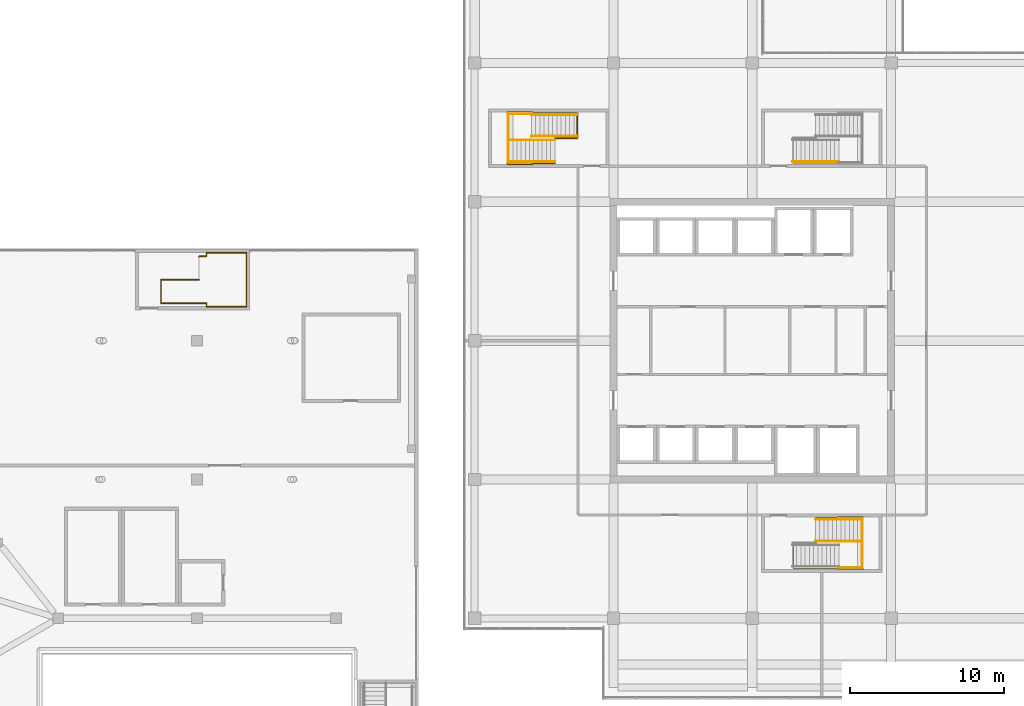
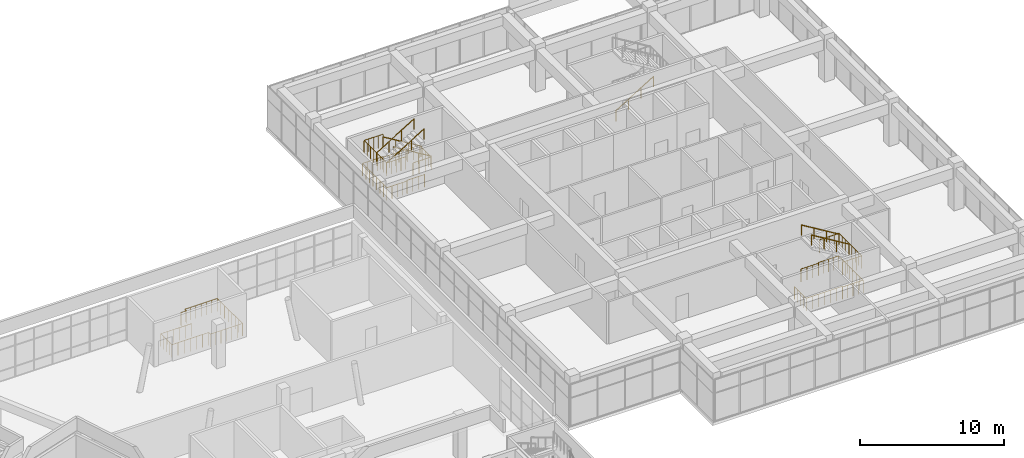
# One storey, part 71 of 72: 18 railings.
"""IFC4 building model written with IfcOpenShell, lengths in metres."""

from ifc_helpers import new_model, si_unit, direction, frame, origin, origin_2d, place, context, subcontext, project, spatial, circle, extrude, material, type_object, element, save


model = new_model("IFC4")

# Units and contexts
model_context = context("Model", 3, precision=1e-05, world=origin(), true_north=direction((0.0, 1.0)))
body_context = subcontext(model_context, "Body", "Model", "MODEL_VIEW")
ifc_project = project(units=[si_unit("LENGTHUNIT", "METRE"), si_unit("AREAUNIT", "SQUARE_METRE"), si_unit("VOLUMEUNIT", "CUBIC_METRE"), si_unit("PLANEANGLEUNIT", "RADIAN"), si_unit("MASSUNIT", "GRAM", prefix="KILO")], contexts=[model_context])

# Site, building, storey
site_placement = place(None, origin())
site = spatial("IfcSite", under=ifc_project, at=site_placement, CompositionType="ELEMENT")
building_placement = place(site_placement, origin())
building = spatial("IfcBuilding", under=site, at=building_placement, Name="Tuart Plaza Theatre", CompositionType="ELEMENT")
storey_placement = place(building_placement, frame((0.0, 0.0, 13.5)))
storey = spatial("IfcBuildingStorey", under=building, at=storey_placement, Name="L03", CompositionType="ELEMENT", Elevation=13.5)

# Railings
ifc_material_1 = material(Name="Steel Grade C350L0", Category="steel")
railing_type_1 = type_object("IfcRailingType", Name="RAILING Guard 1100", PredefinedType="GUARDRAIL", material=ifc_material_1)
railing_1_placement = place(storey_placement, frame((93.659912109375, 76.425048828125, 0.0)))
element("IfcRailing", 1, at=railing_1_placement, inside=storey, type_object=railing_type_1, Name="GR139", PredefinedType="GUARDRAIL", context=body_context, shape_type="SweptSolid", body=[
    extrude(circle(Radius=0.02490234375, at=origin_2d()), frame((0.0, 0.0, 1.0751953125), z_axis=(0.0, 1.0, 0.0), x_axis=(-1.0, 0.0, 0.0)), (0.0, 0.0, 1.0), 1.52490234375),
    extrude(circle(Radius=0.02490234375, at=origin_2d()), frame((0.0, 1.52490234375, 1.0751953125), z_axis=(1.0, 0.0, 0.0), x_axis=(0.0, 1.0, 0.0)), (0.0, 0.0, 1.0), 2.47509765625),
    extrude(circle(Radius=0.02001953125, at=origin_2d()), origin(), (0.0, 0.0, 1.0), 1.050048828125),
    extrude(circle(Radius=0.02001953125, at=origin_2d()), frame((0.0, 0.38134765625, 0.0)), (0.0, 0.0, 1.0), 1.050048828125),
    extrude(circle(Radius=0.02001953125, at=origin_2d()), frame((0.0, 0.762451171875, 0.0)), (0.0, 0.0, 1.0), 1.050048828125),
    extrude(circle(Radius=0.02001953125, at=origin_2d()), frame((0.0, 1.1435546875, 0.0)), (0.0, 0.0, 1.0), 1.050048828125),
    extrude(circle(Radius=0.02001953125, at=origin_2d()), frame((0.0, 1.52490234375, 0.0)), (0.0, 0.0, 1.0), 1.050048828125),
    extrude(circle(Radius=0.02001953125, at=origin_2d()), frame((0.4951171875, 1.52490234375, 0.0)), (0.0, 0.0, 1.0), 1.050048828125),
    extrude(circle(Radius=0.02001953125, at=origin_2d()), frame((0.989990234375, 1.52490234375, 0.0)), (0.0, 0.0, 1.0), 1.050048828125),
    extrude(circle(Radius=0.02001953125, at=origin_2d()), frame((1.485107421875, 1.52490234375, 0.0)), (0.0, 0.0, 1.0), 1.050048828125),
    extrude(circle(Radius=0.02001953125, at=origin_2d()), frame((1.97998046875, 1.52490234375, 0.0)), (0.0, 0.0, 1.0), 1.050048828125),
    extrude(circle(Radius=0.02001953125, at=origin_2d()), frame((2.47509765625, 1.52490234375, 0.0)), (0.0, 0.0, 1.0), 1.050048828125),
])
railing_2_placement = place(storey_placement, frame((96.139892578125, 79.429931640625, 0.0)))
element("IfcRailing", 2, at=railing_2_placement, inside=storey, type_object=railing_type_1, Name="GR140", PredefinedType="GUARDRAIL", context=body_context, shape_type="SweptSolid", body=[
    extrude(circle(Radius=0.02490234375, at=origin_2d()), frame((0.0, 0.0, 1.0751953125), z_axis=(0.0, 1.0, 0.0), x_axis=(-1.0, 0.0, 0.0)), (0.0, 0.0, 1.0), 0.045166015625),
    extrude(circle(Radius=0.02490234375, at=origin_2d()), frame((0.0, 0.045166015625, 1.0751953125), z_axis=(1.0, 0.0, 0.0), x_axis=(0.0, 1.0, 0.0)), (0.0, 0.0, 1.0), 0.47021484375),
    extrude(circle(Radius=0.02490234375, at=origin_2d()), frame((0.47021484375, 0.045166015625, 1.0751953125), z_axis=(0.0, 1.0, 0.0), x_axis=(-1.0, 0.0, 0.0)), (0.0, 0.0, 1.0), 0.224853515625),
    extrude(circle(Radius=0.02490234375, at=origin_2d()), frame((0.47021484375, 0.27001953125, 1.0751953125), z_axis=(1.0, 0.0, 0.0), x_axis=(0.0, 1.0, 0.0)), (0.0, 0.0, 1.0), 2.58984375),
    extrude(circle(Radius=0.02490234375, at=origin_2d()), frame((3.06005859375, 0.27001953125, 1.0751953125), z_axis=(0.0, -1.0, 0.0), x_axis=(1.0, 0.0, 0.0)), (0.0, 0.0, 1.0), 3.5),
    extrude(circle(Radius=0.02490234375, at=origin_2d()), frame((3.06005859375, -3.22998046875, 1.0751953125), z_axis=(-1.0, 0.0, 0.0), x_axis=(0.0, -1.0, 0.0)), (0.0, 0.0, 1.0), 2.58984375),
    extrude(circle(Radius=0.02490234375, at=origin_2d()), frame((0.47021484375, -3.22998046875, 1.0751953125), z_axis=(0.0, 1.0, 0.0), x_axis=(-1.0, 0.0, 0.0)), (0.0, 0.0, 1.0), 0.22509765625),
    extrude(circle(Radius=0.02490234375, at=origin_2d()), frame((0.47021484375, -3.0048828125, 1.0751953125), z_axis=(-1.0, 0.0, 0.0), x_axis=(0.0, -1.0, 0.0)), (0.0, 0.0, 1.0), 2.9501953125),
    extrude(circle(Radius=0.02001953125, at=origin_2d()), origin(), (0.0, 0.0, 1.0), 1.050048828125),
    extrude(circle(Radius=0.02001953125, at=origin_2d()), frame((0.0, 0.045166015625, 0.0)), (0.0, 0.0, 1.0), 1.050048828125),
    extrude(circle(Radius=0.02001953125, at=origin_2d()), frame((0.47021484375, 0.045166015625, 0.0)), (0.0, 0.0, 1.0), 1.050048828125),
    extrude(circle(Radius=0.02001953125, at=origin_2d()), frame((0.47021484375, 0.27001953125, 0.0)), (0.0, 0.0, 1.0), 1.050048828125),
    extrude(circle(Radius=0.02001953125, at=origin_2d()), frame((0.90185546875, 0.27001953125, 0.0)), (0.0, 0.0, 1.0), 1.050048828125),
    extrude(circle(Radius=0.02001953125, at=origin_2d()), frame((1.33349609375, 0.27001953125, 0.0)), (0.0, 0.0, 1.0), 1.050048828125),
    extrude(circle(Radius=0.02001953125, at=origin_2d()), frame((1.76513671875, 0.27001953125, 0.0)), (0.0, 0.0, 1.0), 1.050048828125),
    extrude(circle(Radius=0.02001953125, at=origin_2d()), frame((2.19677734375, 0.27001953125, 0.0)), (0.0, 0.0, 1.0), 1.050048828125),
    extrude(circle(Radius=0.02001953125, at=origin_2d()), frame((2.62841796875, 0.27001953125, 0.0)), (0.0, 0.0, 1.0), 1.050048828125),
    extrude(circle(Radius=0.02001953125, at=origin_2d()), frame((3.06005859375, 0.27001953125, 0.0)), (0.0, 0.0, 1.0), 1.050048828125),
    extrude(circle(Radius=0.02001953125, at=origin_2d()), frame((3.06005859375, -0.22998046875, 0.0)), (0.0, 0.0, 1.0), 1.050048828125),
    extrude(circle(Radius=0.02001953125, at=origin_2d()), frame((3.06005859375, -0.72998046875, 0.0)), (0.0, 0.0, 1.0), 1.050048828125),
    extrude(circle(Radius=0.02001953125, at=origin_2d()), frame((3.06005859375, -1.22998046875, 0.0)), (0.0, 0.0, 1.0), 1.050048828125),
    extrude(circle(Radius=0.02001953125, at=origin_2d()), frame((3.06005859375, -1.72998046875, 0.0)), (0.0, 0.0, 1.0), 1.050048828125),
    extrude(circle(Radius=0.02001953125, at=origin_2d()), frame((3.06005859375, -2.22998046875, 0.0)), (0.0, 0.0, 1.0), 1.050048828125),
    extrude(circle(Radius=0.02001953125, at=origin_2d()), frame((3.06005859375, -2.72998046875, 0.0)), (0.0, 0.0, 1.0), 1.050048828125),
    extrude(circle(Radius=0.02001953125, at=origin_2d()), frame((3.06005859375, -3.22998046875, 0.0)), (0.0, 0.0, 1.0), 1.050048828125),
    extrude(circle(Radius=0.02001953125, at=origin_2d()), frame((2.62841796875, -3.22998046875, 0.0)), (0.0, 0.0, 1.0), 1.050048828125),
    extrude(circle(Radius=0.02001953125, at=origin_2d()), frame((2.19677734375, -3.22998046875, 0.0)), (0.0, 0.0, 1.0), 1.050048828125),
    extrude(circle(Radius=0.02001953125, at=origin_2d()), frame((1.76513671875, -3.22998046875, 0.0)), (0.0, 0.0, 1.0), 1.050048828125),
    extrude(circle(Radius=0.02001953125, at=origin_2d()), frame((1.33349609375, -3.22998046875, 0.0)), (0.0, 0.0, 1.0), 1.050048828125),
    extrude(circle(Radius=0.02001953125, at=origin_2d()), frame((0.90185546875, -3.22998046875, 0.0)), (0.0, 0.0, 1.0), 1.050048828125),
    extrude(circle(Radius=0.02001953125, at=origin_2d()), frame((0.47021484375, -3.22998046875, 0.0)), (0.0, 0.0, 1.0), 1.050048828125),
    extrude(circle(Radius=0.02001953125, at=origin_2d()), frame((0.47021484375, -3.0048828125, 0.0)), (0.0, 0.0, 1.0), 1.050048828125),
    extrude(circle(Radius=0.02001953125, at=origin_2d()), frame((-0.021484375, -3.0048828125, 0.0)), (0.0, 0.0, 1.0), 1.050048828125),
    extrude(circle(Radius=0.02001953125, at=origin_2d()), frame((-0.51318359375, -3.0048828125, 0.0)), (0.0, 0.0, 1.0), 1.050048828125),
    extrude(circle(Radius=0.02001953125, at=origin_2d()), frame((-1.0048828125, -3.0048828125, 0.0)), (0.0, 0.0, 1.0), 1.050048828125),
    extrude(circle(Radius=0.02001953125, at=origin_2d()), frame((-1.49658203125, -3.0048828125, 0.0)), (0.0, 0.0, 1.0), 1.050048828125),
    extrude(circle(Radius=0.02001953125, at=origin_2d()), frame((-1.98828125, -3.0048828125, 0.0)), (0.0, 0.0, 1.0), 1.050048828125),
    extrude(circle(Radius=0.02001953125, at=origin_2d()), frame((-2.47998046875, -3.0048828125, 0.0)), (0.0, 0.0, 1.0), 1.050048828125),
])
railing_3_placement = place(storey_placement, frame((136.114990234375, 62.455078125, 0.0)))
element("IfcRailing", 3, at=railing_3_placement, inside=storey, type_object=railing_type_1, Name="GR210", PredefinedType="GUARDRAIL", context=body_context, shape_type="SweptSolid", body=[
    extrude(circle(Radius=0.02490234375, at=origin_2d()), frame((0.0, 0.0, 1.0751953125), z_axis=(0.0, 1.0, 0.0), x_axis=(-1.0, 0.0, 0.0)), (0.0, 0.0, 1.0), 0.044921875),
    extrude(circle(Radius=0.02490234375, at=origin_2d()), frame((0.0, 0.044921875, 1.0751953125), z_axis=(1.0, 0.0, 0.0), x_axis=(0.0, 1.0, 0.0)), (0.0, 0.0, 1.0), 1.43505859375),
    extrude(circle(Radius=0.02490234375, at=origin_2d()), frame((1.43505859375, 0.044921875, 1.0751953125), z_axis=(0.0, 1.0, 0.0), x_axis=(-1.0, 0.0, 0.0)), (0.0, 0.0, 1.0), 0.074951171875),
    extrude(circle(Radius=0.02490234375, at=origin_2d()), frame((1.43505859375, 0.119873046875, 1.0751953125), z_axis=(1.0, 0.0, 0.0), x_axis=(0.0, 1.0, 0.0)), (0.0, 0.0, 1.0), 1.6298828125),
    extrude(circle(Radius=0.02490234375, at=origin_2d()), frame((3.06494140625, 0.119873046875, 1.0751953125), z_axis=(0.0, -1.0, 0.0), x_axis=(1.0, 0.0, 0.0)), (0.0, 0.0, 1.0), 3.39990234375),
    extrude(circle(Radius=0.02490234375, at=origin_2d()), frame((3.06494140625, -3.280029296875, 1.0751953125), z_axis=(-1.0, 0.0, 0.0), x_axis=(0.0, -1.0, 0.0)), (0.0, 0.0, 1.0), 1.6298828125),
    extrude(circle(Radius=0.02490234375, at=origin_2d()), frame((1.43505859375, -3.280029296875, 1.0751953125), z_axis=(0.0, 1.0, 0.0), x_axis=(-1.0, 0.0, 0.0)), (0.0, 0.0, 1.0), 0.074951171875),
    extrude(circle(Radius=0.02490234375, at=origin_2d()), frame((1.43505859375, -3.205078125, 1.0751953125), z_axis=(-1.0, 0.0, 0.0), x_axis=(0.0, -1.0, 0.0)), (0.0, 0.0, 1.0), 2.89501953125),
    extrude(circle(Radius=0.02490234375, at=origin_2d()), frame((-1.4599609375, -3.205078125, 1.0751953125), z_axis=(0.0, 1.0, 0.0), x_axis=(-1.0, 0.0, 0.0)), (0.0, 0.0, 1.0), 1.625),
    extrude(circle(Radius=0.02001953125, at=origin_2d()), origin(), (0.0, 0.0, 1.0), 1.050048828125),
    extrude(circle(Radius=0.02001953125, at=origin_2d()), frame((0.0, 0.044921875, 0.0)), (0.0, 0.0, 1.0), 1.050048828125),
    extrude(circle(Radius=0.02001953125, at=origin_2d()), frame((0.478271484375, 0.044921875, 0.0)), (0.0, 0.0, 1.0), 1.050048828125),
    extrude(circle(Radius=0.02001953125, at=origin_2d()), frame((0.956787109375, 0.044921875, 0.0)), (0.0, 0.0, 1.0), 1.050048828125),
    extrude(circle(Radius=0.02001953125, at=origin_2d()), frame((1.43505859375, 0.044921875, 0.0)), (0.0, 0.0, 1.0), 1.050048828125),
    extrude(circle(Radius=0.02001953125, at=origin_2d()), frame((1.43505859375, 0.119873046875, 0.0)), (0.0, 0.0, 1.0), 1.050048828125),
    extrude(circle(Radius=0.02001953125, at=origin_2d()), frame((1.842529296875, 0.119873046875, 0.0)), (0.0, 0.0, 1.0), 1.050048828125),
    extrude(circle(Radius=0.02001953125, at=origin_2d()), frame((2.25, 0.119873046875, 0.0)), (0.0, 0.0, 1.0), 1.050048828125),
    extrude(circle(Radius=0.02001953125, at=origin_2d()), frame((2.657470703125, 0.119873046875, 0.0)), (0.0, 0.0, 1.0), 1.050048828125),
    extrude(circle(Radius=0.02001953125, at=origin_2d()), frame((3.06494140625, 0.119873046875, 0.0)), (0.0, 0.0, 1.0), 1.050048828125),
    extrude(circle(Radius=0.02001953125, at=origin_2d()), frame((3.06494140625, -0.36572265625, 0.0)), (0.0, 0.0, 1.0), 1.050048828125),
    extrude(circle(Radius=0.02001953125, at=origin_2d()), frame((3.06494140625, -0.8515625, 0.0)), (0.0, 0.0, 1.0), 1.050048828125),
    extrude(circle(Radius=0.02001953125, at=origin_2d()), frame((3.06494140625, -1.337158203125, 0.0)), (0.0, 0.0, 1.0), 1.050048828125),
    extrude(circle(Radius=0.02001953125, at=origin_2d()), frame((3.06494140625, -1.822998046875, 0.0)), (0.0, 0.0, 1.0), 1.050048828125),
    extrude(circle(Radius=0.02001953125, at=origin_2d()), frame((3.06494140625, -2.30859375, 0.0)), (0.0, 0.0, 1.0), 1.050048828125),
    extrude(circle(Radius=0.02001953125, at=origin_2d()), frame((3.06494140625, -2.79443359375, 0.0)), (0.0, 0.0, 1.0), 1.050048828125),
    extrude(circle(Radius=0.02001953125, at=origin_2d()), frame((3.06494140625, -3.280029296875, 0.0)), (0.0, 0.0, 1.0), 1.050048828125),
    extrude(circle(Radius=0.02001953125, at=origin_2d()), frame((2.657470703125, -3.280029296875, 0.0)), (0.0, 0.0, 1.0), 1.050048828125),
    extrude(circle(Radius=0.02001953125, at=origin_2d()), frame((2.25, -3.280029296875, 0.0)), (0.0, 0.0, 1.0), 1.050048828125),
    extrude(circle(Radius=0.02001953125, at=origin_2d()), frame((1.842529296875, -3.280029296875, 0.0)), (0.0, 0.0, 1.0), 1.050048828125),
    extrude(circle(Radius=0.02001953125, at=origin_2d()), frame((1.43505859375, -3.280029296875, 0.0)), (0.0, 0.0, 1.0), 1.050048828125),
    extrude(circle(Radius=0.02001953125, at=origin_2d()), frame((1.43505859375, -3.205078125, 0.0)), (0.0, 0.0, 1.0), 1.050048828125),
    extrude(circle(Radius=0.02001953125, at=origin_2d()), frame((0.95263671875, -3.205078125, 0.0)), (0.0, 0.0, 1.0), 1.050048828125),
    extrude(circle(Radius=0.02001953125, at=origin_2d()), frame((0.469970703125, -3.205078125, 0.0)), (0.0, 0.0, 1.0), 1.050048828125),
    extrude(circle(Radius=0.02001953125, at=origin_2d()), frame((-0.012451171875, -3.205078125, 0.0)), (0.0, 0.0, 1.0), 1.050048828125),
    extrude(circle(Radius=0.02001953125, at=origin_2d()), frame((-0.494873046875, -3.205078125, 0.0)), (0.0, 0.0, 1.0), 1.050048828125),
    extrude(circle(Radius=0.02001953125, at=origin_2d()), frame((-0.9775390625, -3.205078125, 0.0)), (0.0, 0.0, 1.0), 1.050048828125),
    extrude(circle(Radius=0.02001953125, at=origin_2d()), frame((-1.4599609375, -3.205078125, 0.0)), (0.0, 0.0, 1.0), 1.050048828125),
    extrude(circle(Radius=0.02001953125, at=origin_2d()), frame((-1.4599609375, -2.798828125, 0.0)), (0.0, 0.0, 1.0), 1.050048828125),
    extrude(circle(Radius=0.02001953125, at=origin_2d()), frame((-1.4599609375, -2.392578125, 0.0)), (0.0, 0.0, 1.0), 1.050048828125),
    extrude(circle(Radius=0.02001953125, at=origin_2d()), frame((-1.4599609375, -1.986328125, 0.0)), (0.0, 0.0, 1.0), 1.050048828125),
    extrude(circle(Radius=0.02001953125, at=origin_2d()), frame((-1.4599609375, -1.580078125, 0.0)), (0.0, 0.0, 1.0), 1.050048828125),
])
railing_4_placement = place(storey_placement, frame((137.60009765625, 59.300048828125, 2.0)))
element("IfcRailing", 4, at=railing_4_placement, inside=storey, type_object=railing_type_1, Name="GR216", PredefinedType="GUARDRAIL", context=body_context, shape_type="SweptSolid", body=[
    extrude(circle(Radius=0.02490234375, at=origin_2d()), frame((0.0, 0.0, 1.0751953125), z_axis=(1.0, 0.0, 0.0), x_axis=(0.0, 1.0, 0.0)), (0.0, 0.0, 1.0), 1.52978515625),
    extrude(circle(Radius=0.02001953125, at=origin_2d()), origin(), (0.0, 0.0, 1.0), 1.050048828125),
    extrude(circle(Radius=0.02001953125, at=origin_2d()), frame((0.38232421875, 0.0, 0.0)), (0.0, 0.0, 1.0), 1.050048828125),
    extrude(circle(Radius=0.02001953125, at=origin_2d()), frame((0.764892578125, 0.0, 0.0)), (0.0, 0.0, 1.0), 1.050048828125),
    extrude(circle(Radius=0.02001953125, at=origin_2d()), frame((1.1474609375, 0.0, 0.0)), (0.0, 0.0, 1.0), 1.050048828125),
    extrude(circle(Radius=0.02001953125, at=origin_2d()), frame((1.52978515625, 0.0, 0.0)), (0.0, 0.0, 1.0), 1.050048828125),
])
railing_5_placement = place(storey_placement, frame((139.1298828125, 59.300048828125, 2.0)))
element("IfcRailing", 5, at=railing_5_placement, inside=storey, type_object=railing_type_1, Name="GR217", PredefinedType="GUARDRAIL", context=body_context, shape_type="SweptSolid", body=[
    extrude(circle(Radius=0.02490234375, at=origin_2d()), frame((0.0, 0.0, 1.0751953125), z_axis=(0.0, 1.0, 0.0), x_axis=(-1.0, 0.0, 0.0)), (0.0, 0.0, 1.0), 3.14990234375),
    extrude(circle(Radius=0.02001953125, at=origin_2d()), origin(), (0.0, 0.0, 1.0), 1.050048828125),
    extrude(circle(Radius=0.02001953125, at=origin_2d()), frame((0.0, 0.449951171875, 0.0)), (0.0, 0.0, 1.0), 1.050048828125),
    extrude(circle(Radius=0.02001953125, at=origin_2d()), frame((0.0, 0.89990234375, 0.0)), (0.0, 0.0, 1.0), 1.050048828125),
    extrude(circle(Radius=0.02001953125, at=origin_2d()), frame((0.0, 1.349853515625, 0.0)), (0.0, 0.0, 1.0), 1.050048828125),
    extrude(circle(Radius=0.02001953125, at=origin_2d()), frame((0.0, 1.800048828125, 0.0)), (0.0, 0.0, 1.0), 1.050048828125),
    extrude(circle(Radius=0.02001953125, at=origin_2d()), frame((0.0, 2.25, 0.0)), (0.0, 0.0, 1.0), 1.050048828125),
    extrude(circle(Radius=0.02001953125, at=origin_2d()), frame((0.0, 2.699951171875, 0.0)), (0.0, 0.0, 1.0), 1.050048828125),
    extrude(circle(Radius=0.02001953125, at=origin_2d()), frame((0.0, 3.14990234375, 0.0)), (0.0, 0.0, 1.0), 1.050048828125),
])
railing_6_placement = place(storey_placement, frame((139.1298828125, 62.449951171875, 2.0)))
element("IfcRailing", 6, at=railing_6_placement, inside=storey, type_object=railing_type_1, Name="GR218", PredefinedType="GUARDRAIL", context=body_context, shape_type="SweptSolid", body=[
    extrude(circle(Radius=0.02490234375, at=origin_2d()), frame((0.0, 0.0, 1.0751953125), z_axis=(-1.0, 0.0, 0.0), x_axis=(0.0, -1.0, 0.0)), (0.0, 0.0, 1.0), 1.52978515625),
    extrude(circle(Radius=0.02001953125, at=origin_2d()), origin(), (0.0, 0.0, 1.0), 1.050048828125),
    extrude(circle(Radius=0.02001953125, at=origin_2d()), frame((-0.38232421875, 0.0, 0.0)), (0.0, 0.0, 1.0), 1.050048828125),
    extrude(circle(Radius=0.02001953125, at=origin_2d()), frame((-0.764892578125, 0.0, 0.0)), (0.0, 0.0, 1.0), 1.050048828125),
    extrude(circle(Radius=0.02001953125, at=origin_2d()), frame((-1.1474609375, 0.0, 0.0)), (0.0, 0.0, 1.0), 1.050048828125),
    extrude(circle(Radius=0.02001953125, at=origin_2d()), frame((-1.52978515625, 0.0, 0.0)), (0.0, 0.0, 1.0), 1.050048828125),
])
railing_7_placement = place(storey_placement, frame((120.64501953125, 88.75, 0.0)))
element("IfcRailing", 7, at=railing_7_placement, inside=storey, type_object=railing_type_1, Name="GR367", PredefinedType="GUARDRAIL", context=body_context, shape_type="SweptSolid", body=[
    extrude(circle(Radius=0.02490234375, at=origin_2d()), frame((0.0, 0.0, 1.0751953125), z_axis=(0.0, -1.0, 0.0), x_axis=(1.0, 0.0, 0.0)), (0.0, 0.0, 1.0), 1.625),
    extrude(circle(Radius=0.02490234375, at=origin_2d()), frame((0.0, -1.625, 1.0751953125), z_axis=(-1.0, 0.0, 0.0), x_axis=(0.0, -1.0, 0.0)), (0.0, 0.0, 1.0), 1.455078125),
    extrude(circle(Radius=0.02001953125, at=origin_2d()), origin(), (0.0, 0.0, 1.0), 1.050048828125),
    extrude(circle(Radius=0.02001953125, at=origin_2d()), frame((0.0, -0.40625, 0.0)), (0.0, 0.0, 1.0), 1.050048828125),
    extrude(circle(Radius=0.02001953125, at=origin_2d()), frame((0.0, -0.8125, 0.0)), (0.0, 0.0, 1.0), 1.050048828125),
    extrude(circle(Radius=0.02001953125, at=origin_2d()), frame((0.0, -1.21875, 0.0)), (0.0, 0.0, 1.0), 1.050048828125),
    extrude(circle(Radius=0.02001953125, at=origin_2d()), frame((0.0, -1.625, 0.0)), (0.0, 0.0, 1.0), 1.050048828125),
    extrude(circle(Radius=0.02001953125, at=origin_2d()), frame((-0.485107421875, -1.625, 0.0)), (0.0, 0.0, 1.0), 1.050048828125),
    extrude(circle(Radius=0.02001953125, at=origin_2d()), frame((-0.969970703125, -1.625, 0.0)), (0.0, 0.0, 1.0), 1.050048828125),
    extrude(circle(Radius=0.02001953125, at=origin_2d()), frame((-1.455078125, -1.625, 0.0)), (0.0, 0.0, 1.0), 1.050048828125),
])
railing_8_placement = place(storey_placement, frame((119.18505859375, 85.544921875, 0.0)))
element("IfcRailing", 8, at=railing_8_placement, inside=storey, type_object=railing_type_1, Name="GR368", PredefinedType="GUARDRAIL", context=body_context, shape_type="SweptSolid", body=[
    extrude(circle(Radius=0.02490234375, at=origin_2d()), frame((0.0, 0.0, 1.0751953125), z_axis=(0.0, -1.0, 0.0), x_axis=(1.0, 0.0, 0.0)), (0.0, 0.0, 1.0), 0.044921875),
    extrude(circle(Radius=0.02490234375, at=origin_2d()), frame((0.0, -0.044921875, 1.0751953125), z_axis=(-1.0, 0.0, 0.0), x_axis=(0.0, -1.0, 0.0)), (0.0, 0.0, 1.0), 1.43505859375),
    extrude(circle(Radius=0.02490234375, at=origin_2d()), frame((-1.43505859375, -0.044921875, 1.0751953125), z_axis=(0.0, -1.0, 0.0), x_axis=(1.0, 0.0, 0.0)), (0.0, 0.0, 1.0), 0.074951171875),
    extrude(circle(Radius=0.02490234375, at=origin_2d()), frame((-1.43505859375, -0.119873046875, 1.0751953125), z_axis=(-1.0, 0.0, 0.0), x_axis=(0.0, -1.0, 0.0)), (0.0, 0.0, 1.0), 1.6298828125),
    extrude(circle(Radius=0.02490234375, at=origin_2d()), frame((-3.06494140625, -0.119873046875, 1.0751953125), z_axis=(0.0, 1.0, 0.0), x_axis=(-1.0, 0.0, 0.0)), (0.0, 0.0, 1.0), 3.39990234375),
    extrude(circle(Radius=0.02490234375, at=origin_2d()), frame((-3.06494140625, 3.280029296875, 1.0751953125), z_axis=(1.0, 0.0, 0.0), x_axis=(0.0, 1.0, 0.0)), (0.0, 0.0, 1.0), 1.6298828125),
    extrude(circle(Radius=0.02490234375, at=origin_2d()), frame((-1.43505859375, 3.280029296875, 1.0751953125), z_axis=(0.0, -1.0, 0.0), x_axis=(1.0, 0.0, 0.0)), (0.0, 0.0, 1.0), 0.074951171875),
    extrude(circle(Radius=0.02490234375, at=origin_2d()), frame((-1.43505859375, 3.205078125, 1.0751953125), z_axis=(1.0, 0.0, 0.0), x_axis=(0.0, 1.0, 0.0)), (0.0, 0.0, 1.0), 2.89501953125),
    extrude(circle(Radius=0.02001953125, at=origin_2d()), origin(), (0.0, 0.0, 1.0), 1.050048828125),
    extrude(circle(Radius=0.02001953125, at=origin_2d()), frame((0.0, -0.044921875, 0.0)), (0.0, 0.0, 1.0), 1.050048828125),
    extrude(circle(Radius=0.02001953125, at=origin_2d()), frame((-0.478271484375, -0.044921875, 0.0)), (0.0, 0.0, 1.0), 1.050048828125),
    extrude(circle(Radius=0.02001953125, at=origin_2d()), frame((-0.956787109375, -0.044921875, 0.0)), (0.0, 0.0, 1.0), 1.050048828125),
    extrude(circle(Radius=0.02001953125, at=origin_2d()), frame((-1.43505859375, -0.044921875, 0.0)), (0.0, 0.0, 1.0), 1.050048828125),
    extrude(circle(Radius=0.02001953125, at=origin_2d()), frame((-1.43505859375, -0.119873046875, 0.0)), (0.0, 0.0, 1.0), 1.050048828125),
    extrude(circle(Radius=0.02001953125, at=origin_2d()), frame((-1.842529296875, -0.119873046875, 0.0)), (0.0, 0.0, 1.0), 1.050048828125),
    extrude(circle(Radius=0.02001953125, at=origin_2d()), frame((-2.25, -0.119873046875, 0.0)), (0.0, 0.0, 1.0), 1.050048828125),
    extrude(circle(Radius=0.02001953125, at=origin_2d()), frame((-2.657470703125, -0.119873046875, 0.0)), (0.0, 0.0, 1.0), 1.050048828125),
    extrude(circle(Radius=0.02001953125, at=origin_2d()), frame((-3.06494140625, -0.119873046875, 0.0)), (0.0, 0.0, 1.0), 1.050048828125),
    extrude(circle(Radius=0.02001953125, at=origin_2d()), frame((-3.06494140625, 0.36572265625, 0.0)), (0.0, 0.0, 1.0), 1.050048828125),
    extrude(circle(Radius=0.02001953125, at=origin_2d()), frame((-3.06494140625, 0.8515625, 0.0)), (0.0, 0.0, 1.0), 1.050048828125),
    extrude(circle(Radius=0.02001953125, at=origin_2d()), frame((-3.06494140625, 1.337158203125, 0.0)), (0.0, 0.0, 1.0), 1.050048828125),
    extrude(circle(Radius=0.02001953125, at=origin_2d()), frame((-3.06494140625, 1.822998046875, 0.0)), (0.0, 0.0, 1.0), 1.050048828125),
    extrude(circle(Radius=0.02001953125, at=origin_2d()), frame((-3.06494140625, 2.30859375, 0.0)), (0.0, 0.0, 1.0), 1.050048828125),
    extrude(circle(Radius=0.02001953125, at=origin_2d()), frame((-3.06494140625, 2.79443359375, 0.0)), (0.0, 0.0, 1.0), 1.050048828125),
    extrude(circle(Radius=0.02001953125, at=origin_2d()), frame((-3.06494140625, 3.280029296875, 0.0)), (0.0, 0.0, 1.0), 1.050048828125),
    extrude(circle(Radius=0.02001953125, at=origin_2d()), frame((-2.657470703125, 3.280029296875, 0.0)), (0.0, 0.0, 1.0), 1.050048828125),
    extrude(circle(Radius=0.02001953125, at=origin_2d()), frame((-2.25, 3.280029296875, 0.0)), (0.0, 0.0, 1.0), 1.050048828125),
    extrude(circle(Radius=0.02001953125, at=origin_2d()), frame((-1.842529296875, 3.280029296875, 0.0)), (0.0, 0.0, 1.0), 1.050048828125),
    extrude(circle(Radius=0.02001953125, at=origin_2d()), frame((-1.43505859375, 3.280029296875, 0.0)), (0.0, 0.0, 1.0), 1.050048828125),
    extrude(circle(Radius=0.02001953125, at=origin_2d()), frame((-1.43505859375, 3.205078125, 0.0)), (0.0, 0.0, 1.0), 1.050048828125),
    extrude(circle(Radius=0.02001953125, at=origin_2d()), frame((-0.95263671875, 3.205078125, 0.0)), (0.0, 0.0, 1.0), 1.050048828125),
    extrude(circle(Radius=0.02001953125, at=origin_2d()), frame((-0.469970703125, 3.205078125, 0.0)), (0.0, 0.0, 1.0), 1.050048828125),
    extrude(circle(Radius=0.02001953125, at=origin_2d()), frame((0.012451171875, 3.205078125, 0.0)), (0.0, 0.0, 1.0), 1.050048828125),
    extrude(circle(Radius=0.02001953125, at=origin_2d()), frame((0.494873046875, 3.205078125, 0.0)), (0.0, 0.0, 1.0), 1.050048828125),
    extrude(circle(Radius=0.02001953125, at=origin_2d()), frame((0.9775390625, 3.205078125, 0.0)), (0.0, 0.0, 1.0), 1.050048828125),
    extrude(circle(Radius=0.02001953125, at=origin_2d()), frame((1.4599609375, 3.205078125, 0.0)), (0.0, 0.0, 1.0), 1.050048828125),
])
railing_9_placement = place(storey_placement, frame((117.699951171875, 88.699951171875, 2.0)))
element("IfcRailing", 9, at=railing_9_placement, inside=storey, type_object=railing_type_1, Name="GR374", PredefinedType="GUARDRAIL", context=body_context, shape_type="SweptSolid", body=[
    extrude(circle(Radius=0.02490234375, at=origin_2d()), frame((0.0, 0.0, 1.0751953125), z_axis=(-1.0, 0.0, 0.0), x_axis=(0.0, -1.0, 0.0)), (0.0, 0.0, 1.0), 1.530029296875),
    extrude(circle(Radius=0.02001953125, at=origin_2d()), origin(), (0.0, 0.0, 1.0), 1.050048828125),
    extrude(circle(Radius=0.02001953125, at=origin_2d()), frame((-0.382568359375, 0.0, 0.0)), (0.0, 0.0, 1.0), 1.050048828125),
    extrude(circle(Radius=0.02001953125, at=origin_2d()), frame((-0.76513671875, 0.0, 0.0)), (0.0, 0.0, 1.0), 1.050048828125),
    extrude(circle(Radius=0.02001953125, at=origin_2d()), frame((-1.1474609375, 0.0, 0.0)), (0.0, 0.0, 1.0), 1.050048828125),
    extrude(circle(Radius=0.02001953125, at=origin_2d()), frame((-1.530029296875, 0.0, 0.0)), (0.0, 0.0, 1.0), 1.050048828125),
])
railing_10_placement = place(storey_placement, frame((116.169921875, 88.699951171875, 2.0)))
element("IfcRailing", 10, at=railing_10_placement, inside=storey, type_object=railing_type_1, Name="GR375", PredefinedType="GUARDRAIL", context=body_context, shape_type="SweptSolid", body=[
    extrude(circle(Radius=0.02490234375, at=origin_2d()), frame((0.0, 0.0, 1.0751953125), z_axis=(0.0, -1.0, 0.0), x_axis=(1.0, 0.0, 0.0)), (0.0, 0.0, 1.0), 3.14990234375),
    extrude(circle(Radius=0.02001953125, at=origin_2d()), origin(), (0.0, 0.0, 1.0), 1.050048828125),
    extrude(circle(Radius=0.02001953125, at=origin_2d()), frame((0.0, -0.449951171875, 0.0)), (0.0, 0.0, 1.0), 1.050048828125),
    extrude(circle(Radius=0.02001953125, at=origin_2d()), frame((0.0, -0.89990234375, 0.0)), (0.0, 0.0, 1.0), 1.050048828125),
    extrude(circle(Radius=0.02001953125, at=origin_2d()), frame((0.0, -1.349853515625, 0.0)), (0.0, 0.0, 1.0), 1.050048828125),
    extrude(circle(Radius=0.02001953125, at=origin_2d()), frame((0.0, -1.800048828125, 0.0)), (0.0, 0.0, 1.0), 1.050048828125),
    extrude(circle(Radius=0.02001953125, at=origin_2d()), frame((0.0, -2.25, 0.0)), (0.0, 0.0, 1.0), 1.050048828125),
    extrude(circle(Radius=0.02001953125, at=origin_2d()), frame((0.0, -2.699951171875, 0.0)), (0.0, 0.0, 1.0), 1.050048828125),
    extrude(circle(Radius=0.02001953125, at=origin_2d()), frame((0.0, -3.14990234375, 0.0)), (0.0, 0.0, 1.0), 1.050048828125),
])
railing_11_placement = place(storey_placement, frame((116.169921875, 85.550048828125, 2.0)))
element("IfcRailing", 11, at=railing_11_placement, inside=storey, type_object=railing_type_1, Name="GR376", PredefinedType="GUARDRAIL", context=body_context, shape_type="SweptSolid", body=[
    extrude(circle(Radius=0.02490234375, at=origin_2d()), frame((0.0, 0.0, 1.0751953125), z_axis=(1.0, 0.0, 0.0), x_axis=(0.0, 1.0, 0.0)), (0.0, 0.0, 1.0), 1.530029296875),
    extrude(circle(Radius=0.02001953125, at=origin_2d()), origin(), (0.0, 0.0, 1.0), 1.050048828125),
    extrude(circle(Radius=0.02001953125, at=origin_2d()), frame((0.382568359375, 0.0, 0.0)), (0.0, 0.0, 1.0), 1.050048828125),
    extrude(circle(Radius=0.02001953125, at=origin_2d()), frame((0.76513671875, 0.0, 0.0)), (0.0, 0.0, 1.0), 1.050048828125),
    extrude(circle(Radius=0.02001953125, at=origin_2d()), frame((1.1474609375, 0.0, 0.0)), (0.0, 0.0, 1.0), 1.050048828125),
    extrude(circle(Radius=0.02001953125, at=origin_2d()), frame((1.530029296875, 0.0, 0.0)), (0.0, 0.0, 1.0), 1.050048828125),
])
ifc_material_2 = material(Name="Steel Grade C350L0", Category="steel")
railing_type_2 = type_object("IfcRailingType", Name="RAILING Handrail 900", PredefinedType="HANDRAIL", material=ifc_material_2)
for number, where, name in (
    (12, (139.1201171875, 61.0, 2.166748046875), "HR129"),
    (13, (139.1201171875, 62.39990234375, 2.166748046875), "HR130"),
):
    element("IfcRailing", number, at=place(storey_placement, frame(where)), inside=storey, type_object=railing_type_2, Name=name, PredefinedType="HANDRAIL", context=body_context, shape_type="SweptSolid", body=[
        extrude(circle(Radius=0.0224609375, at=origin_2d()), frame((0.0, 0.0, 0.87744140625), z_axis=(-0.855219153138, 0.0, 0.518266533848), x_axis=(0.0, -1.0, 0.0)), (0.0, 0.0, 1.0), 3.537353515625),
        extrude(circle(Radius=0.01513671875, at=origin_2d()), origin(), (0.0, 0.0, 1.0), 0.85498046875),
        extrude(circle(Radius=0.01513671875, at=origin_2d()), frame((-1.00830078125, 0.0, 0.611083984375)), (0.0, 0.0, 1.0), 0.85498046875),
        extrude(circle(Radius=0.01513671875, at=origin_2d()), frame((-2.016845703125, 0.0, 1.22216796875)), (0.0, 0.0, 1.0), 0.85498046875),
        extrude(circle(Radius=0.01513671875, at=origin_2d()), frame((-3.025146484375, 0.0, 1.833251953125)), (0.0, 0.0, 1.0), 0.85498046875),
    ])
railing_12_placement = place(storey_placement, frame((134.594970703125, 85.60009765625, 0.166748046875)))
element("IfcRailing", 14, at=railing_12_placement, inside=storey, type_object=railing_type_2, Name="HR192", PredefinedType="HANDRAIL", context=body_context, shape_type="SweptSolid", body=[
    extrude(circle(Radius=0.0224609375, at=origin_2d()), frame((0.0, 0.0, 0.87744140625), z_axis=(0.855219153138, 0.0, 0.518266533848), x_axis=(0.0, 1.0, 0.0)), (0.0, 0.0, 1.0), 3.537353515625),
    extrude(circle(Radius=0.01513671875, at=origin_2d()), origin(), (0.0, 0.0, 1.0), 0.85498046875),
    extrude(circle(Radius=0.01513671875, at=origin_2d()), frame((1.00830078125, 0.0, 0.611083984375)), (0.0, 0.0, 1.0), 0.85498046875),
    extrude(circle(Radius=0.01513671875, at=origin_2d()), frame((2.016845703125, 0.0, 1.22216796875)), (0.0, 0.0, 1.0), 0.85498046875),
    extrude(circle(Radius=0.01513671875, at=origin_2d()), frame((3.025146484375, 0.0, 1.833251953125)), (0.0, 0.0, 1.0), 0.85498046875),
])
for number, where, name in (
    (15, (120.705078125, 87.25, 0.166748046875), "HR255"),
    (16, (120.705078125, 88.64990234375, 0.166748046875), "HR256"),
):
    element("IfcRailing", number, at=place(storey_placement, frame(where)), inside=storey, type_object=railing_type_2, Name=name, PredefinedType="HANDRAIL", context=body_context, shape_type="SweptSolid", body=[
        extrude(circle(Radius=0.0224609375, at=origin_2d()), frame((0.0, 0.0, 0.87744140625), z_axis=(-0.855219153138, 0.0, 0.518266533848), x_axis=(0.0, -1.0, 0.0)), (0.0, 0.0, 1.0), 3.537353515625),
        extrude(circle(Radius=0.01513671875, at=origin_2d()), origin(), (0.0, 0.0, 1.0), 0.85498046875),
        extrude(circle(Radius=0.01513671875, at=origin_2d()), frame((-1.00830078125, 0.0, 0.611083984375)), (0.0, 0.0, 1.0), 0.85498046875),
        extrude(circle(Radius=0.01513671875, at=origin_2d()), frame((-2.016845703125, 0.0, 1.22216796875)), (0.0, 0.0, 1.0), 0.85498046875),
        extrude(circle(Radius=0.01513671875, at=origin_2d()), frame((-3.025146484375, 0.0, 1.833251953125)), (0.0, 0.0, 1.0), 0.85498046875),
    ])
for number, where, name in (
    (17, (116.179931640625, 87.0, 2.166748046875), "HR257"),
    (18, (116.179931640625, 85.60009765625, 2.166748046875), "HR258"),
):
    element("IfcRailing", number, at=place(storey_placement, frame(where)), inside=storey, type_object=railing_type_2, Name=name, PredefinedType="HANDRAIL", context=body_context, shape_type="SweptSolid", body=[
        extrude(circle(Radius=0.0224609375, at=origin_2d()), frame((0.0, 0.0, 0.87744140625), z_axis=(0.855219153138, 0.0, 0.518266533848), x_axis=(0.0, 1.0, 0.0)), (0.0, 0.0, 1.0), 3.537353515625),
        extrude(circle(Radius=0.01513671875, at=origin_2d()), origin(), (0.0, 0.0, 1.0), 0.85498046875),
        extrude(circle(Radius=0.01513671875, at=origin_2d()), frame((1.00830078125, 0.0, 0.611083984375)), (0.0, 0.0, 1.0), 0.85498046875),
        extrude(circle(Radius=0.01513671875, at=origin_2d()), frame((2.016845703125, 0.0, 1.22216796875)), (0.0, 0.0, 1.0), 0.85498046875),
        extrude(circle(Radius=0.01513671875, at=origin_2d()), frame((3.025146484375, 0.0, 1.833251953125)), (0.0, 0.0, 1.0), 0.85498046875),
    ])

save(model, "model.ifc")
